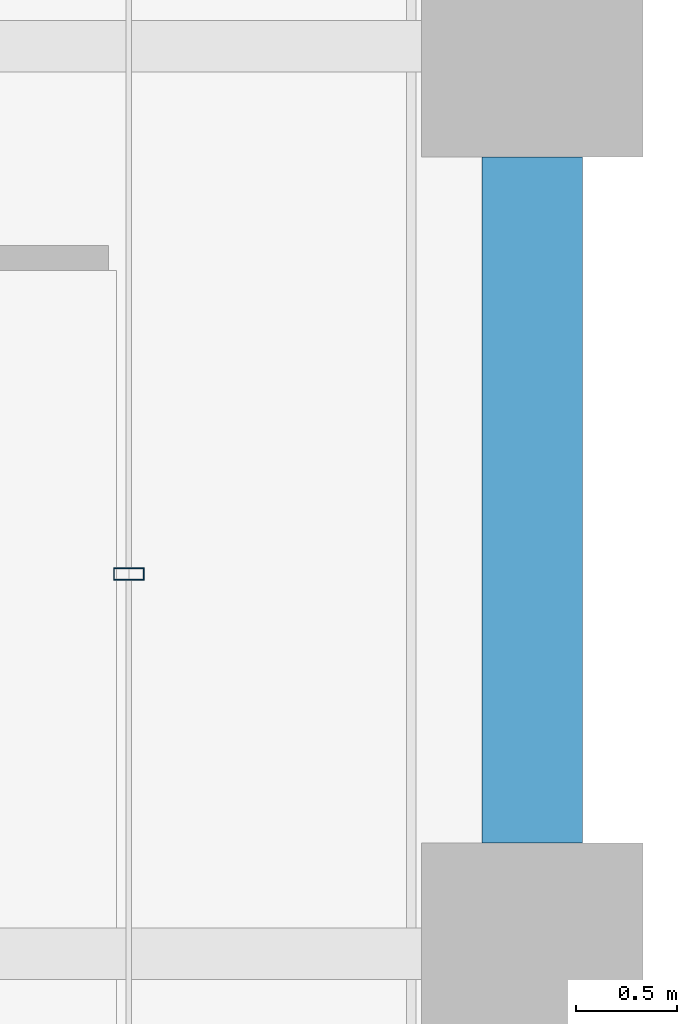
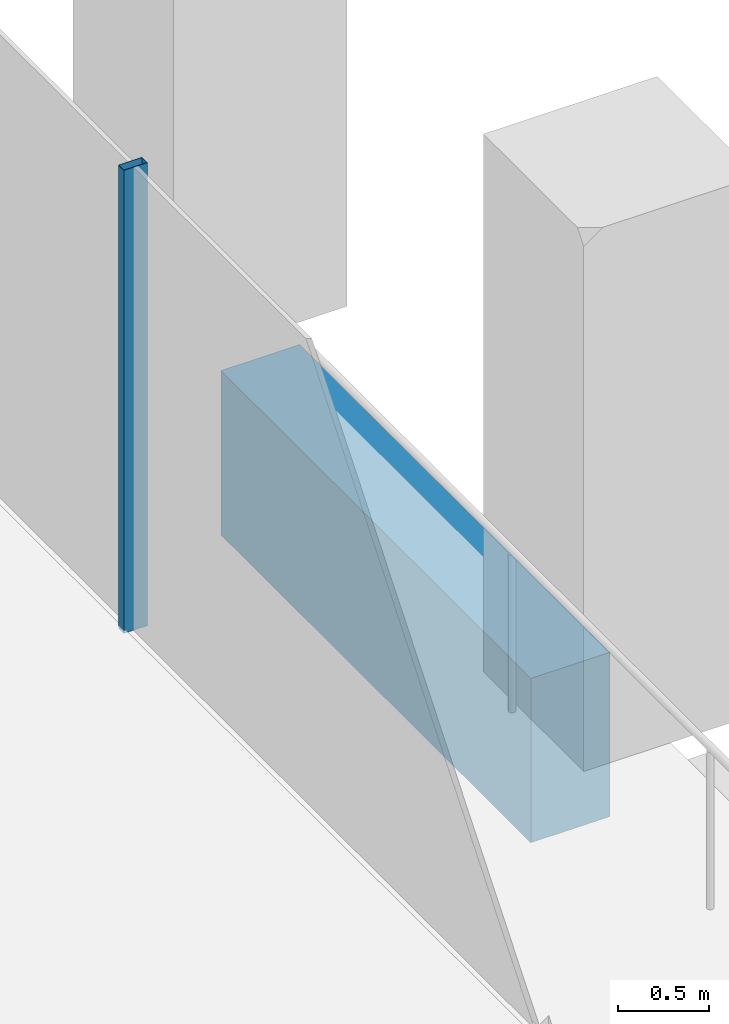
# One storey, part 20 of 54: 1 beam, 1 member, 1 element without a shape of its own.
"""IFC4 building model written with IfcOpenShell, lengths in metres."""

from ifc_helpers import new_model, si_unit, direction, frame, origin, origin_2d, place, context, subcontext, project, spatial, rectangle, hollow_rectangle, extrude, material, material_profile, profile_set, type_object, element, aggregate, save


model = new_model("IFC4")

# Units and contexts
model_context = context("Model", 3, precision=1e-05, world=origin(), true_north=direction((0.0, 1.0)))
body_context = subcontext(model_context, "Body", "Model", "MODEL_VIEW")
ifc_project = project(units=[si_unit("LENGTHUNIT", "METRE"), si_unit("AREAUNIT", "SQUARE_METRE"), si_unit("VOLUMEUNIT", "CUBIC_METRE"), si_unit("PLANEANGLEUNIT", "RADIAN"), si_unit("MASSUNIT", "GRAM", prefix="KILO")], contexts=[model_context])

# Site, building, storey
site_placement = place(None, origin())
site = spatial("IfcSite", under=ifc_project, at=site_placement, CompositionType="ELEMENT")
building_placement = place(site_placement, origin())
building = spatial("IfcBuilding", under=site, at=building_placement, Name="Altepetl Exchange Towers", CompositionType="ELEMENT")
storey_placement = place(building_placement, frame((0.0, 0.0, 65.39990234375)))
storey = spatial("IfcBuildingStorey", under=building, at=storey_placement, Name="L15", CompositionType="ELEMENT", Elevation=65.39990234375)

# Curtain wall, member
ifc_material_1 = material(Name="Aluminium 6063-T6 glazing", Category="aluminium")
curtain_wall_type = type_object("IfcCurtainWallType", Name="Loggia glazing system", PredefinedType="NOTDEFINED", material=ifc_material_1)
curtain_wall_placement = place(storey_placement, origin())
curtain_wall = element("IfcCurtainWall", 1, at=curtain_wall_placement, inside=storey, type_object=curtain_wall_type, Name="CW1 run", PredefinedType="NOTDEFINED")
ifc_material_2 = material(Name="Aluminium 6063-T6", Category="aluminium")
ifc_material_profile_1 = material_profile(ifc_material_2, hollow_rectangle(XDim=0.06005859375, YDim=0.14990234375, WallThickness=0.0029296875, at=origin_2d()), Name="Mullion 60x150 aluminium")
ifc_profile_set_1 = profile_set([ifc_material_profile_1], Name="Aluminium 6063-T6")
member_type = type_object("IfcMemberType", Name="Mullion 60x150 aluminium", PredefinedType="MULLION", material=ifc_profile_set_1)
member_placement = place(storey_placement, frame((70.0, 46.883056640625, 0.0), z_axis=(0.0, 0.0, 1.0), x_axis=(0.0, 1.0, 0.0)))
member = element("IfcMember", 2, at=member_placement, type_object=member_type, Name="MU1 mullion", PredefinedType="MULLION", context=body_context, shape_type="SweptSolid", body=[
    extrude(hollow_rectangle(XDim=0.06005859375, YDim=0.14990234375, WallThickness=0.0029296875, at=origin_2d()), origin(), (0.0, 0.0, 1.0), 3.10009765625),
])
aggregate(curtain_wall, [member])

# Beam
ifc_material_3 = material(Name="Concrete C50/60 precast with cantera amarilla facing", Category="concrete")
ifc_material_profile_2 = material_profile(ifc_material_3, rectangle(XDim=0.5, YDim=1.10009765625, at=origin_2d()), Name="500 x 1100")
ifc_profile_set_2 = profile_set([ifc_material_profile_2], Name="Concrete C50/60 precast with cantera amarilla facing")
beam_type = type_object("IfcBeamType", Name="Spandrel beam 500x1100 cantera amarilla", PredefinedType="SPANDREL", material=ifc_profile_set_2)
beam_placement = place(storey_placement, frame((72.0, 45.550048828125, -0.699951171875), z_axis=(0.0, 1.0, 0.0), x_axis=(-1.0, 0.0, 0.0)))
element("IfcBeam", 3, at=beam_placement, inside=storey, type_object=beam_type, Name="sp:A:L15:015", PredefinedType="SPANDREL", context=body_context, shape_type="SweptSolid", body=[
    extrude(rectangle(XDim=0.5, YDim=1.10009765625, at=origin_2d()), origin(), (0.0, 0.0, 1.0), 3.39990234375),
])

save(model, "model.ifc")
